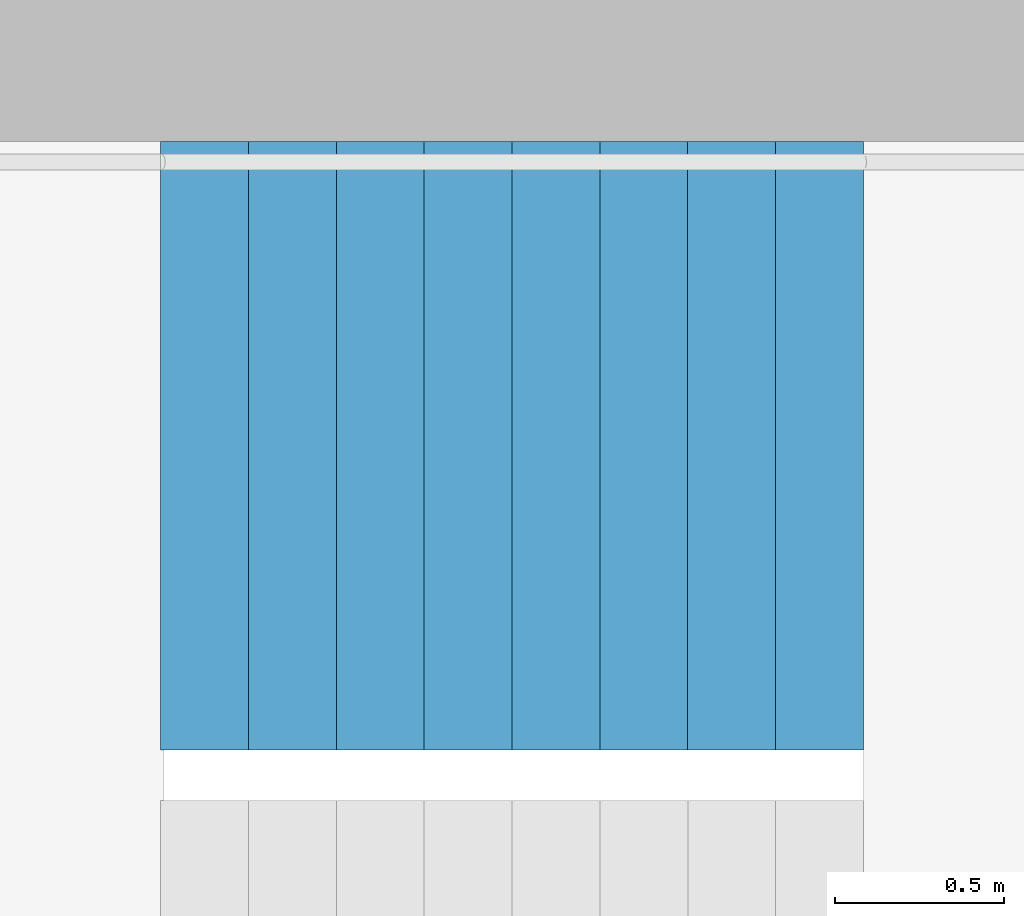
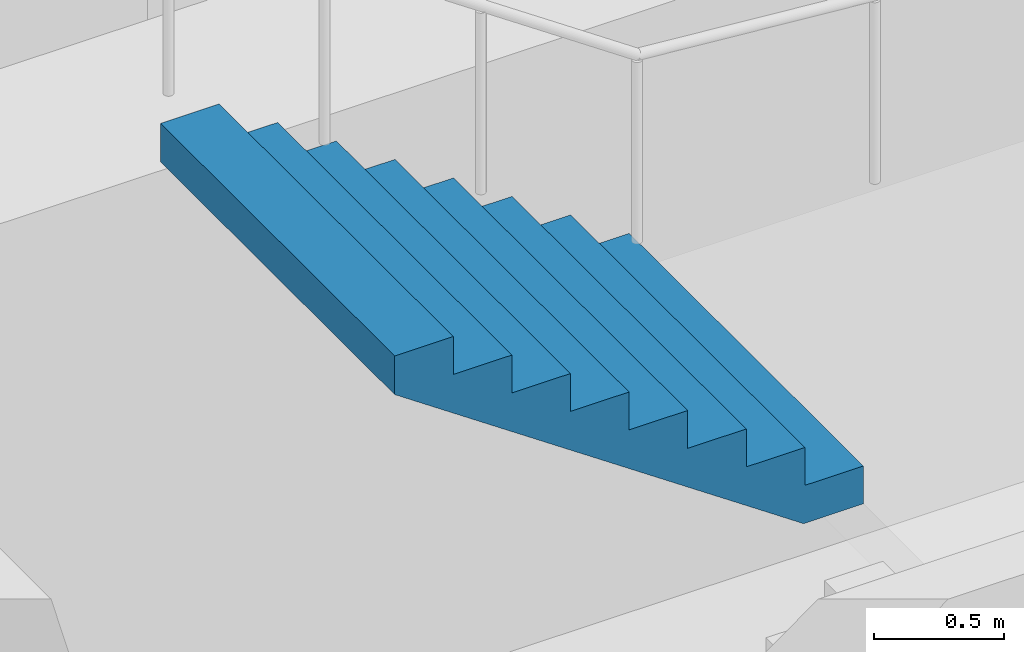
# One storey, part 24 of 29: 1 stair flight, 1 element without a shape of its own.
"""IFC4 building model written with IfcOpenShell, lengths in metres."""

from ifc_helpers import new_model, si_unit, direction, frame, origin, place, context, subcontext, project, spatial, triangles, material, type_object, element, aggregate, save


model = new_model("IFC4")

# Units and contexts
model_context = context("Model", 3, precision=1e-05, world=origin(), true_north=direction((0.0, 1.0)))
body_context = subcontext(model_context, "Body", "Model", "MODEL_VIEW")
ifc_project = project(units=[si_unit("LENGTHUNIT", "METRE"), si_unit("AREAUNIT", "SQUARE_METRE"), si_unit("VOLUMEUNIT", "CUBIC_METRE"), si_unit("PLANEANGLEUNIT", "RADIAN"), si_unit("MASSUNIT", "GRAM", prefix="KILO")], contexts=[model_context])

# Site, building, storey
site_placement = place(None, origin())
site = spatial("IfcSite", under=ifc_project, at=site_placement, CompositionType="ELEMENT")
building_placement = place(site_placement, origin())
building = spatial("IfcBuilding", under=site, at=building_placement, Name="Hakoniwa Tower and Hamabe Station Hall", CompositionType="ELEMENT")
storey_placement = place(building_placement, frame((0.0, 0.0, 113.800048828125)))
storey = spatial("IfcBuildingStorey", under=building, at=storey_placement, Name="L32", CompositionType="ELEMENT", Elevation=113.800048828125)

# Stair, stair flight
ifc_material_1 = material(Name="Concrete C40", Category="concrete")
stair_type = type_object("IfcStairType", Name="ESCAPE STAIR 1800", PredefinedType="HALF_TURN_STAIR", material=ifc_material_1)
stair_placement = place(storey_placement, origin())
stair = element("IfcStair", 1, at=stair_placement, inside=storey, type_object=stair_type, Name="Escape stair ST-1 L32", PredefinedType="HALF_TURN_STAIR")
ifc_material_2 = material(Name="Concrete C40", Category="concrete")
stair_flight_type = type_object("IfcStairFlightType", Name="STAIR FLIGHT 1800", PredefinedType="STRAIGHT", material=ifc_material_2)
stair_flight_placement = place(storey_placement, frame((-22.320068359375, 6.60009765625, 1.599853515625), z_axis=(0.0, 0.0, 1.0), x_axis=(-1.0, 0.0, 0.0)))
stair_flight = element("IfcStairFlight", 2, at=stair_flight_placement, type_object=stair_flight_type, Name="ST-1 flight 2", NumberOfRisers=9, NumberOfTreads=8, PredefinedType="STRAIGHT", RiserHeight=0.177777778, TreadLength=0.26, context=body_context, shape_type="Tessellation", body=[
    triangles([(0.0, 0.89990234375, 0.0), (0.260009765625, 0.89990234375, 0.0), (0.265625, 0.89990234375, 0.0), (0.52001953125, 0.89990234375, 0.174072265625), (0.780029296875, 0.89990234375, 0.351806640625), (1.0400390625, 0.89990234375, 0.529541015625), (1.300048828125, 0.89990234375, 0.707275390625), (1.56005859375, 0.89990234375, 0.885009765625), (1.820068359375, 0.89990234375, 1.062744140625), (2.080078125, 0.89990234375, 1.24072265625), (2.080078125, 0.89990234375, 1.422119140625), (1.820068359375, 0.89990234375, 1.422119140625), (1.820068359375, 0.89990234375, 1.244384765625), (1.56005859375, 0.89990234375, 1.244384765625), (1.56005859375, 0.89990234375, 1.066650390625), (1.300048828125, 0.89990234375, 1.066650390625), (1.300048828125, 0.89990234375, 0.888916015625), (1.0400390625, 0.89990234375, 0.888916015625), (1.0400390625, 0.89990234375, 0.711181640625), (0.780029296875, 0.89990234375, 0.711181640625), (0.780029296875, 0.89990234375, 0.533447265625), (0.52001953125, 0.89990234375, 0.533447265625), (0.52001953125, 0.89990234375, 0.35546875), (0.265625, 0.89990234375, 0.35546875), (0.260009765625, 0.89990234375, 0.35546875), (0.260009765625, 0.89990234375, 0.177734375), (0.0, 0.89990234375, 0.177734375), (0.0, 0.06005859375, 0.0), (0.260009765625, 0.06005859375, 0.0), (0.265625, 0.06005859375, 0.0), (0.52001953125, 0.06005859375, 0.174072265625), (0.780029296875, 0.06005859375, 0.351806640625), (1.0400390625, 0.06005859375, 0.529541015625), (1.300048828125, 0.06005859375, 0.707275390625), (1.56005859375, 0.06005859375, 0.885009765625), (1.820068359375, 0.06005859375, 1.062744140625), (2.080078125, 0.06005859375, 1.24072265625), (2.080078125, 0.06005859375, 1.422119140625), (1.820068359375, 0.06005859375, 1.422119140625), (1.820068359375, 0.06005859375, 1.244384765625), (1.56005859375, 0.06005859375, 1.244384765625), (1.56005859375, 0.06005859375, 1.066650390625), (1.300048828125, 0.06005859375, 1.066650390625), (1.300048828125, 0.06005859375, 0.888916015625), (1.0400390625, 0.06005859375, 0.888916015625), (1.0400390625, 0.06005859375, 0.711181640625), (0.780029296875, 0.06005859375, 0.711181640625), (0.780029296875, 0.06005859375, 0.533447265625), (0.52001953125, 0.06005859375, 0.533447265625), (0.52001953125, 0.06005859375, 0.35546875), (0.265625, 0.06005859375, 0.35546875), (0.260009765625, 0.06005859375, 0.35546875), (0.260009765625, 0.06005859375, 0.177734375), (0.0, 0.06005859375, 0.177734375), (0.0, 0.04296875, 0.0), (0.260009765625, 0.04296875, 0.0), (0.265625, 0.04296875, 0.0), (0.52001953125, 0.04296875, 0.174072265625), (0.780029296875, 0.04296875, 0.351806640625), (1.0400390625, 0.04296875, 0.529541015625), (1.300048828125, 0.04296875, 0.707275390625), (1.56005859375, 0.04296875, 0.885009765625), (1.820068359375, 0.04296875, 1.062744140625), (2.080078125, 0.04296875, 1.24072265625), (2.080078125, 0.04296875, 1.422119140625), (1.820068359375, 0.04296875, 1.422119140625), (1.820068359375, 0.04296875, 1.244384765625), (1.56005859375, 0.04296875, 1.244384765625), (1.56005859375, 0.04296875, 1.066650390625), (1.300048828125, 0.04296875, 1.066650390625), (1.300048828125, 0.04296875, 0.888916015625), (1.0400390625, 0.04296875, 0.888916015625), (1.0400390625, 0.04296875, 0.711181640625), (0.780029296875, 0.04296875, 0.711181640625), (0.780029296875, 0.04296875, 0.533447265625), (0.52001953125, 0.04296875, 0.533447265625), (0.52001953125, 0.04296875, 0.35546875), (0.265625, 0.04296875, 0.35546875), (0.260009765625, 0.04296875, 0.35546875), (0.260009765625, 0.04296875, 0.177734375), (0.0, 0.04296875, 0.177734375), (0.0, 0.025634765625, 0.0), (0.260009765625, 0.025634765625, 0.0), (0.265625, 0.025634765625, 0.0), (0.52001953125, 0.025634765625, 0.174072265625), (0.780029296875, 0.025634765625, 0.351806640625), (1.0400390625, 0.025634765625, 0.529541015625), (1.300048828125, 0.025634765625, 0.707275390625), (1.56005859375, 0.025634765625, 0.885009765625), (1.820068359375, 0.025634765625, 1.062744140625), (2.080078125, 0.025634765625, 1.24072265625), (2.080078125, 0.025634765625, 1.422119140625), (1.820068359375, 0.025634765625, 1.422119140625), (1.820068359375, 0.025634765625, 1.244384765625), (1.56005859375, 0.025634765625, 1.244384765625), (1.56005859375, 0.025634765625, 1.066650390625), (1.300048828125, 0.025634765625, 1.066650390625), (1.300048828125, 0.025634765625, 0.888916015625), (1.0400390625, 0.025634765625, 0.888916015625), (1.0400390625, 0.025634765625, 0.711181640625), (0.780029296875, 0.025634765625, 0.711181640625), (0.780029296875, 0.025634765625, 0.533447265625), (0.52001953125, 0.025634765625, 0.533447265625), (0.52001953125, 0.025634765625, 0.35546875), (0.265625, 0.025634765625, 0.35546875), (0.260009765625, 0.025634765625, 0.35546875), (0.260009765625, 0.025634765625, 0.177734375), (0.0, 0.025634765625, 0.177734375), (0.0, 0.008544921875, 0.0), (0.260009765625, 0.008544921875, 0.0), (0.265625, 0.008544921875, 0.0), (0.52001953125, 0.008544921875, 0.174072265625), (0.780029296875, 0.008544921875, 0.351806640625), (1.0400390625, 0.008544921875, 0.529541015625), (1.300048828125, 0.008544921875, 0.707275390625), (1.56005859375, 0.008544921875, 0.885009765625), (1.820068359375, 0.008544921875, 1.062744140625), (2.080078125, 0.008544921875, 1.24072265625), (2.080078125, 0.008544921875, 1.422119140625), (1.820068359375, 0.008544921875, 1.422119140625), (1.820068359375, 0.008544921875, 1.244384765625), (1.56005859375, 0.008544921875, 1.244384765625), (1.56005859375, 0.008544921875, 1.066650390625), (1.300048828125, 0.008544921875, 1.066650390625), (1.300048828125, 0.008544921875, 0.888916015625), (1.0400390625, 0.008544921875, 0.888916015625), (1.0400390625, 0.008544921875, 0.711181640625), (0.780029296875, 0.008544921875, 0.711181640625), (0.780029296875, 0.008544921875, 0.533447265625), (0.52001953125, 0.008544921875, 0.533447265625), (0.52001953125, 0.008544921875, 0.35546875), (0.265625, 0.008544921875, 0.35546875), (0.260009765625, 0.008544921875, 0.35546875), (0.260009765625, 0.008544921875, 0.177734375), (0.0, 0.008544921875, 0.177734375), (0.0, -0.008544921875, 0.0), (0.260009765625, -0.008544921875, 0.0), (0.265625, -0.008544921875, 0.0), (0.52001953125, -0.008544921875, 0.174072265625), (0.780029296875, -0.008544921875, 0.351806640625), (1.0400390625, -0.008544921875, 0.529541015625), (1.300048828125, -0.008544921875, 0.707275390625), (1.56005859375, -0.008544921875, 0.885009765625), (1.820068359375, -0.008544921875, 1.062744140625), (2.080078125, -0.008544921875, 1.24072265625), (2.080078125, -0.008544921875, 1.422119140625), (1.820068359375, -0.008544921875, 1.422119140625), (1.820068359375, -0.008544921875, 1.244384765625), (1.56005859375, -0.008544921875, 1.244384765625), (1.56005859375, -0.008544921875, 1.066650390625), (1.300048828125, -0.008544921875, 1.066650390625), (1.300048828125, -0.008544921875, 0.888916015625), (1.0400390625, -0.008544921875, 0.888916015625), (1.0400390625, -0.008544921875, 0.711181640625), (0.780029296875, -0.008544921875, 0.711181640625), (0.780029296875, -0.008544921875, 0.533447265625), (0.52001953125, -0.008544921875, 0.533447265625), (0.52001953125, -0.008544921875, 0.35546875), (0.265625, -0.008544921875, 0.35546875), (0.260009765625, -0.008544921875, 0.35546875), (0.260009765625, -0.008544921875, 0.177734375), (0.0, -0.008544921875, 0.177734375), (0.0, -0.025634765625, 0.0), (0.260009765625, -0.025634765625, 0.0), (0.265625, -0.025634765625, 0.0), (0.52001953125, -0.025634765625, 0.174072265625), (0.780029296875, -0.025634765625, 0.351806640625), (1.0400390625, -0.025634765625, 0.529541015625), (1.300048828125, -0.025634765625, 0.707275390625), (1.56005859375, -0.025634765625, 0.885009765625), (1.820068359375, -0.025634765625, 1.062744140625), (2.080078125, -0.025634765625, 1.24072265625), (2.080078125, -0.025634765625, 1.422119140625), (1.820068359375, -0.025634765625, 1.422119140625), (1.820068359375, -0.025634765625, 1.244384765625), (1.56005859375, -0.025634765625, 1.244384765625), (1.56005859375, -0.025634765625, 1.066650390625), (1.300048828125, -0.025634765625, 1.066650390625), (1.300048828125, -0.025634765625, 0.888916015625), (1.0400390625, -0.025634765625, 0.888916015625), (1.0400390625, -0.025634765625, 0.711181640625), (0.780029296875, -0.025634765625, 0.711181640625), (0.780029296875, -0.025634765625, 0.533447265625), (0.52001953125, -0.025634765625, 0.533447265625), (0.52001953125, -0.025634765625, 0.35546875), (0.265625, -0.025634765625, 0.35546875), (0.260009765625, -0.025634765625, 0.35546875), (0.260009765625, -0.025634765625, 0.177734375), (0.0, -0.025634765625, 0.177734375), (0.0, -0.04296875, 0.0), (0.260009765625, -0.04296875, 0.0), (0.265625, -0.04296875, 0.0), (0.52001953125, -0.04296875, 0.174072265625), (0.780029296875, -0.04296875, 0.351806640625), (1.0400390625, -0.04296875, 0.529541015625), (1.300048828125, -0.04296875, 0.707275390625), (1.56005859375, -0.04296875, 0.885009765625), (1.820068359375, -0.04296875, 1.062744140625), (2.080078125, -0.04296875, 1.24072265625), (2.080078125, -0.04296875, 1.422119140625), (1.820068359375, -0.04296875, 1.422119140625), (1.820068359375, -0.04296875, 1.244384765625), (1.56005859375, -0.04296875, 1.244384765625), (1.56005859375, -0.04296875, 1.066650390625), (1.300048828125, -0.04296875, 1.066650390625), (1.300048828125, -0.04296875, 0.888916015625), (1.0400390625, -0.04296875, 0.888916015625), (1.0400390625, -0.04296875, 0.711181640625), (0.780029296875, -0.04296875, 0.711181640625), (0.780029296875, -0.04296875, 0.533447265625), (0.52001953125, -0.04296875, 0.533447265625), (0.52001953125, -0.04296875, 0.35546875), (0.265625, -0.04296875, 0.35546875), (0.260009765625, -0.04296875, 0.35546875), (0.260009765625, -0.04296875, 0.177734375), (0.0, -0.04296875, 0.177734375), (0.0, -0.06005859375, 0.0), (0.260009765625, -0.06005859375, 0.0), (0.265625, -0.06005859375, 0.0), (0.52001953125, -0.06005859375, 0.174072265625), (0.780029296875, -0.06005859375, 0.351806640625), (1.0400390625, -0.06005859375, 0.529541015625), (1.300048828125, -0.06005859375, 0.707275390625), (1.56005859375, -0.06005859375, 0.885009765625), (1.820068359375, -0.06005859375, 1.062744140625), (2.080078125, -0.06005859375, 1.24072265625), (2.080078125, -0.06005859375, 1.422119140625), (1.820068359375, -0.06005859375, 1.422119140625), (1.820068359375, -0.06005859375, 1.244384765625), (1.56005859375, -0.06005859375, 1.244384765625), (1.56005859375, -0.06005859375, 1.066650390625), (1.300048828125, -0.06005859375, 1.066650390625), (1.300048828125, -0.06005859375, 0.888916015625), (1.0400390625, -0.06005859375, 0.888916015625), (1.0400390625, -0.06005859375, 0.711181640625), (0.780029296875, -0.06005859375, 0.711181640625), (0.780029296875, -0.06005859375, 0.533447265625), (0.52001953125, -0.06005859375, 0.533447265625), (0.52001953125, -0.06005859375, 0.35546875), (0.265625, -0.06005859375, 0.35546875), (0.260009765625, -0.06005859375, 0.35546875), (0.260009765625, -0.06005859375, 0.177734375), (0.0, -0.06005859375, 0.177734375), (0.0, -0.89990234375, 0.0), (0.260009765625, -0.89990234375, 0.0), (0.265625, -0.89990234375, 0.0), (0.52001953125, -0.89990234375, 0.174072265625), (0.780029296875, -0.89990234375, 0.351806640625), (1.0400390625, -0.89990234375, 0.529541015625), (1.300048828125, -0.89990234375, 0.707275390625), (1.56005859375, -0.89990234375, 0.885009765625), (1.820068359375, -0.89990234375, 1.062744140625), (2.080078125, -0.89990234375, 1.24072265625), (2.080078125, -0.89990234375, 1.422119140625), (1.820068359375, -0.89990234375, 1.422119140625), (1.820068359375, -0.89990234375, 1.244384765625), (1.56005859375, -0.89990234375, 1.244384765625), (1.56005859375, -0.89990234375, 1.066650390625), (1.300048828125, -0.89990234375, 1.066650390625), (1.300048828125, -0.89990234375, 0.888916015625), (1.0400390625, -0.89990234375, 0.888916015625), (1.0400390625, -0.89990234375, 0.711181640625), (0.780029296875, -0.89990234375, 0.711181640625), (0.780029296875, -0.89990234375, 0.533447265625), (0.52001953125, -0.89990234375, 0.533447265625), (0.52001953125, -0.89990234375, 0.35546875), (0.265625, -0.89990234375, 0.35546875), (0.260009765625, -0.89990234375, 0.35546875), (0.260009765625, -0.89990234375, 0.177734375), (0.0, -0.89990234375, 0.177734375)], [[2, 27, 26], [245, 269, 270], [2, 1, 27], [245, 270, 244], [3, 25, 24], [246, 267, 268], [3, 26, 25], [246, 268, 269], [3, 2, 26], [246, 269, 245], [4, 24, 23], [247, 266, 267], [4, 3, 24], [247, 267, 246], [5, 22, 21], [248, 264, 265], [5, 23, 22], [248, 265, 266], [5, 4, 23], [248, 266, 247], [6, 20, 19], [249, 262, 263], [6, 21, 20], [249, 263, 264], [6, 5, 21], [249, 264, 248], [7, 18, 17], [250, 260, 261], [7, 19, 18], [250, 261, 262], [7, 6, 19], [250, 262, 249], [8, 16, 15], [251, 258, 259], [8, 17, 16], [251, 259, 260], [8, 7, 17], [251, 260, 250], [9, 14, 13], [252, 256, 257], [9, 15, 14], [252, 257, 258], [9, 8, 15], [252, 258, 251], [10, 12, 11], [253, 254, 255], [10, 13, 12], [253, 255, 256], [10, 9, 13], [253, 256, 252], [1, 2, 29], [1, 29, 28], [28, 29, 56], [28, 56, 55], [55, 56, 83], [55, 83, 82], [82, 83, 110], [82, 110, 109], [109, 110, 137], [109, 137, 136], [136, 137, 164], [136, 164, 163], [163, 164, 191], [163, 191, 190], [190, 191, 218], [190, 218, 217], [217, 218, 245], [217, 245, 244], [2, 3, 30], [2, 30, 29], [29, 30, 57], [29, 57, 56], [56, 57, 84], [56, 84, 83], [83, 84, 111], [83, 111, 110], [110, 111, 138], [110, 138, 137], [137, 138, 165], [137, 165, 164], [164, 165, 192], [164, 192, 191], [191, 192, 219], [191, 219, 218], [218, 219, 246], [218, 246, 245], [3, 4, 31], [3, 31, 30], [30, 31, 58], [30, 58, 57], [57, 58, 85], [57, 85, 84], [84, 85, 112], [84, 112, 111], [111, 112, 139], [111, 139, 138], [138, 139, 166], [138, 166, 165], [165, 166, 193], [165, 193, 192], [192, 193, 220], [192, 220, 219], [219, 220, 247], [219, 247, 246], [4, 5, 32], [4, 32, 31], [31, 32, 59], [31, 59, 58], [58, 59, 86], [58, 86, 85], [85, 86, 113], [85, 113, 112], [112, 113, 140], [112, 140, 139], [139, 140, 167], [139, 167, 166], [166, 167, 194], [166, 194, 193], [193, 194, 221], [193, 221, 220], [220, 221, 248], [220, 248, 247], [5, 6, 33], [5, 33, 32], [32, 33, 60], [32, 60, 59], [59, 60, 87], [59, 87, 86], [86, 87, 114], [86, 114, 113], [113, 114, 141], [113, 141, 140], [140, 141, 168], [140, 168, 167], [167, 168, 195], [167, 195, 194], [194, 195, 222], [194, 222, 221], [221, 222, 249], [221, 249, 248], [6, 7, 34], [6, 34, 33], [33, 34, 61], [33, 61, 60], [60, 61, 88], [60, 88, 87], [87, 88, 115], [87, 115, 114], [114, 115, 142], [114, 142, 141], [141, 142, 169], [141, 169, 168], [168, 169, 196], [168, 196, 195], [195, 196, 223], [195, 223, 222], [222, 223, 250], [222, 250, 249], [7, 8, 35], [7, 35, 34], [34, 35, 62], [34, 62, 61], [61, 62, 89], [61, 89, 88], [88, 89, 116], [88, 116, 115], [115, 116, 143], [115, 143, 142], [142, 143, 170], [142, 170, 169], [169, 170, 197], [169, 197, 196], [196, 197, 224], [196, 224, 223], [223, 224, 251], [223, 251, 250], [8, 9, 36], [8, 36, 35], [35, 36, 63], [35, 63, 62], [62, 63, 90], [62, 90, 89], [89, 90, 117], [89, 117, 116], [116, 117, 144], [116, 144, 143], [143, 144, 171], [143, 171, 170], [170, 171, 198], [170, 198, 197], [197, 198, 225], [197, 225, 224], [224, 225, 252], [224, 252, 251], [9, 10, 37], [9, 37, 36], [36, 37, 64], [36, 64, 63], [63, 64, 91], [63, 91, 90], [90, 91, 118], [90, 118, 117], [117, 118, 145], [117, 145, 144], [144, 145, 172], [144, 172, 171], [171, 172, 199], [171, 199, 198], [198, 199, 226], [198, 226, 225], [225, 226, 253], [225, 253, 252], [10, 11, 38], [10, 38, 37], [37, 38, 65], [37, 65, 64], [64, 65, 92], [64, 92, 91], [91, 92, 119], [91, 119, 118], [118, 119, 146], [118, 146, 145], [145, 146, 173], [145, 173, 172], [172, 173, 200], [172, 200, 199], [199, 200, 227], [199, 227, 226], [226, 227, 254], [226, 254, 253], [11, 12, 39], [11, 39, 38], [38, 39, 66], [38, 66, 65], [65, 66, 93], [65, 93, 92], [92, 93, 120], [92, 120, 119], [119, 120, 147], [119, 147, 146], [146, 147, 174], [146, 174, 173], [173, 174, 201], [173, 201, 200], [200, 201, 228], [200, 228, 227], [227, 228, 255], [227, 255, 254], [12, 13, 40], [12, 40, 39], [39, 40, 67], [39, 67, 66], [66, 67, 94], [66, 94, 93], [93, 94, 121], [93, 121, 120], [120, 121, 148], [120, 148, 147], [147, 148, 175], [147, 175, 174], [174, 175, 202], [174, 202, 201], [201, 202, 229], [201, 229, 228], [228, 229, 256], [228, 256, 255], [13, 14, 41], [13, 41, 40], [40, 41, 68], [40, 68, 67], [67, 68, 95], [67, 95, 94], [94, 95, 122], [94, 122, 121], [121, 122, 149], [121, 149, 148], [148, 149, 176], [148, 176, 175], [175, 176, 203], [175, 203, 202], [202, 203, 230], [202, 230, 229], [229, 230, 257], [229, 257, 256], [14, 15, 42], [14, 42, 41], [41, 42, 69], [41, 69, 68], [68, 69, 96], [68, 96, 95], [95, 96, 123], [95, 123, 122], [122, 123, 150], [122, 150, 149], [149, 150, 177], [149, 177, 176], [176, 177, 204], [176, 204, 203], [203, 204, 231], [203, 231, 230], [230, 231, 258], [230, 258, 257], [15, 16, 43], [15, 43, 42], [42, 43, 70], [42, 70, 69], [69, 70, 97], [69, 97, 96], [96, 97, 124], [96, 124, 123], [123, 124, 151], [123, 151, 150], [150, 151, 178], [150, 178, 177], [177, 178, 205], [177, 205, 204], [204, 205, 232], [204, 232, 231], [231, 232, 259], [231, 259, 258], [16, 17, 44], [16, 44, 43], [43, 44, 71], [43, 71, 70], [70, 71, 98], [70, 98, 97], [97, 98, 125], [97, 125, 124], [124, 125, 152], [124, 152, 151], [151, 152, 179], [151, 179, 178], [178, 179, 206], [178, 206, 205], [205, 206, 233], [205, 233, 232], [232, 233, 260], [232, 260, 259], [17, 18, 45], [17, 45, 44], [44, 45, 72], [44, 72, 71], [71, 72, 99], [71, 99, 98], [98, 99, 126], [98, 126, 125], [125, 126, 153], [125, 153, 152], [152, 153, 180], [152, 180, 179], [179, 180, 207], [179, 207, 206], [206, 207, 234], [206, 234, 233], [233, 234, 261], [233, 261, 260], [18, 19, 46], [18, 46, 45], [45, 46, 73], [45, 73, 72], [72, 73, 100], [72, 100, 99], [99, 100, 127], [99, 127, 126], [126, 127, 154], [126, 154, 153], [153, 154, 181], [153, 181, 180], [180, 181, 208], [180, 208, 207], [207, 208, 235], [207, 235, 234], [234, 235, 262], [234, 262, 261], [19, 20, 47], [19, 47, 46], [46, 47, 74], [46, 74, 73], [73, 74, 101], [73, 101, 100], [100, 101, 128], [100, 128, 127], [127, 128, 155], [127, 155, 154], [154, 155, 182], [154, 182, 181], [181, 182, 209], [181, 209, 208], [208, 209, 236], [208, 236, 235], [235, 236, 263], [235, 263, 262], [20, 21, 48], [20, 48, 47], [47, 48, 75], [47, 75, 74], [74, 75, 102], [74, 102, 101], [101, 102, 129], [101, 129, 128], [128, 129, 156], [128, 156, 155], [155, 156, 183], [155, 183, 182], [182, 183, 210], [182, 210, 209], [209, 210, 237], [209, 237, 236], [236, 237, 264], [236, 264, 263], [21, 22, 49], [21, 49, 48], [48, 49, 76], [48, 76, 75], [75, 76, 103], [75, 103, 102], [102, 103, 130], [102, 130, 129], [129, 130, 157], [129, 157, 156], [156, 157, 184], [156, 184, 183], [183, 184, 211], [183, 211, 210], [210, 211, 238], [210, 238, 237], [237, 238, 265], [237, 265, 264], [22, 23, 50], [22, 50, 49], [49, 50, 77], [49, 77, 76], [76, 77, 104], [76, 104, 103], [103, 104, 131], [103, 131, 130], [130, 131, 158], [130, 158, 157], [157, 158, 185], [157, 185, 184], [184, 185, 212], [184, 212, 211], [211, 212, 239], [211, 239, 238], [238, 239, 266], [238, 266, 265], [23, 24, 51], [23, 51, 50], [50, 51, 78], [50, 78, 77], [77, 78, 105], [77, 105, 104], [104, 105, 132], [104, 132, 131], [131, 132, 159], [131, 159, 158], [158, 159, 186], [158, 186, 185], [185, 186, 213], [185, 213, 212], [212, 213, 240], [212, 240, 239], [239, 240, 267], [239, 267, 266], [24, 25, 52], [24, 52, 51], [51, 52, 79], [51, 79, 78], [78, 79, 106], [78, 106, 105], [105, 106, 133], [105, 133, 132], [132, 133, 160], [132, 160, 159], [159, 160, 187], [159, 187, 186], [186, 187, 214], [186, 214, 213], [213, 214, 241], [213, 241, 240], [240, 241, 268], [240, 268, 267], [25, 26, 53], [25, 53, 52], [52, 53, 80], [52, 80, 79], [79, 80, 107], [79, 107, 106], [106, 107, 134], [106, 134, 133], [133, 134, 161], [133, 161, 160], [160, 161, 188], [160, 188, 187], [187, 188, 215], [187, 215, 214], [214, 215, 242], [214, 242, 241], [241, 242, 269], [241, 269, 268], [26, 27, 54], [26, 54, 53], [53, 54, 81], [53, 81, 80], [80, 81, 108], [80, 108, 107], [107, 108, 135], [107, 135, 134], [134, 135, 162], [134, 162, 161], [161, 162, 189], [161, 189, 188], [188, 189, 216], [188, 216, 215], [215, 216, 243], [215, 243, 242], [242, 243, 270], [242, 270, 269], [27, 1, 28], [27, 28, 54], [54, 28, 55], [54, 55, 81], [81, 55, 82], [81, 82, 108], [108, 82, 109], [108, 109, 135], [135, 109, 136], [135, 136, 162], [162, 136, 163], [162, 163, 189], [189, 163, 190], [189, 190, 216], [216, 190, 217], [216, 217, 243], [243, 217, 244], [243, 244, 270]], closed=True),
])
aggregate(stair, [stair_flight])

save(model, "model.ifc")
